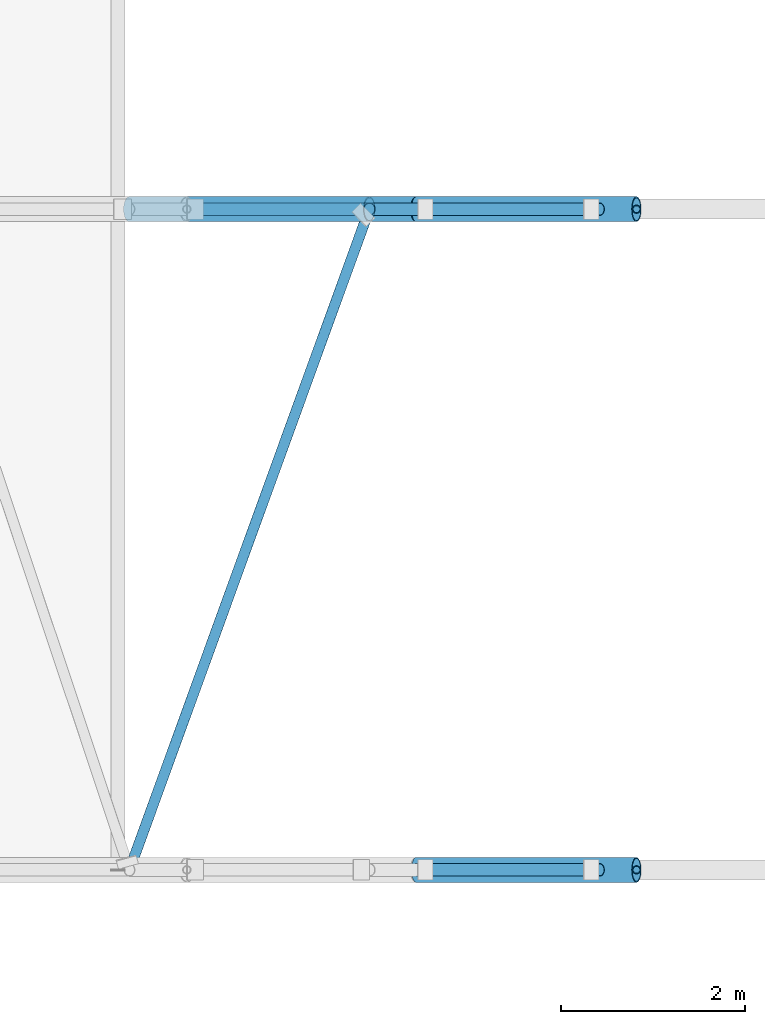
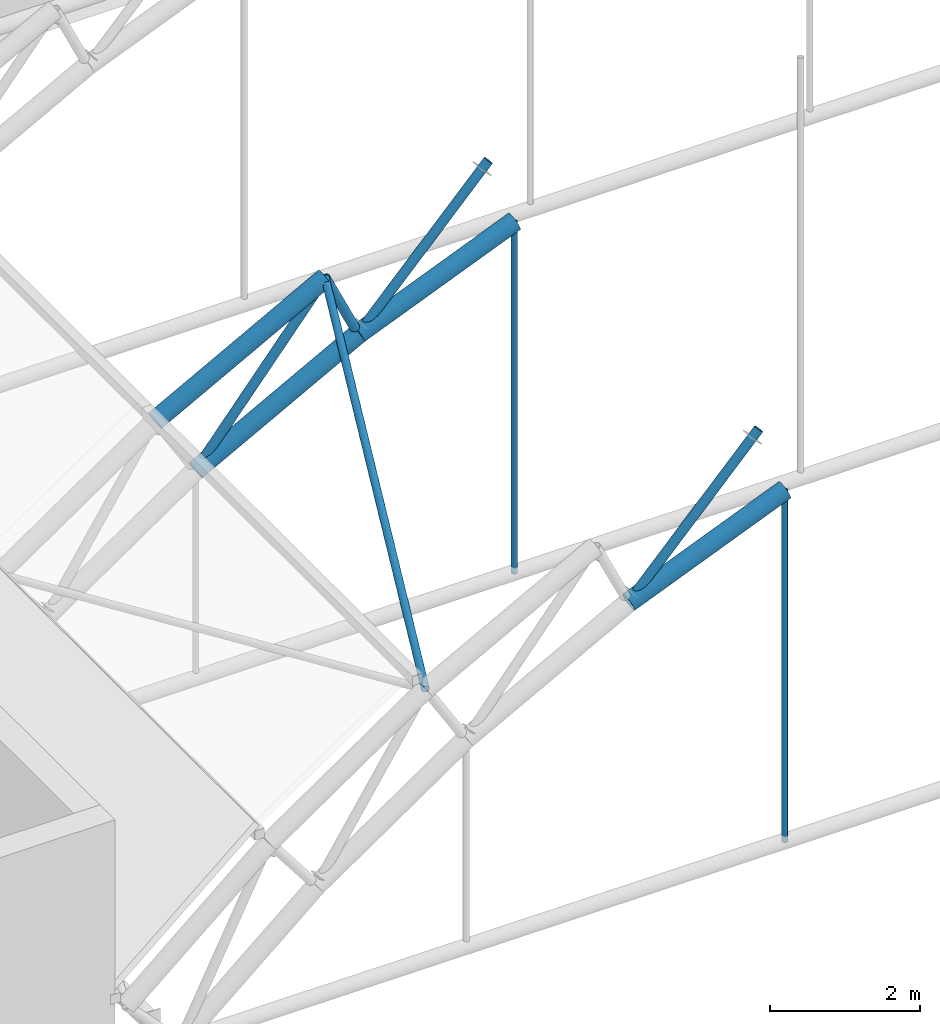
# One storey, part 5 of 101: 11 members.
"""IFC4 building model written with IfcOpenShell, lengths in metres."""

from ifc_helpers import new_model, si_unit, direction, frame, origin, origin_2d, place, context, subcontext, project, spatial, hollow_circle, extrude, material, material_profile, profile_set, type_object, element, save


model = new_model("IFC4")

# Units and contexts
model_context = context("Model", 3, precision=1e-05, world=origin(), true_north=direction((0.0, 1.0)))
body_context = subcontext(model_context, "Body", "Model", "MODEL_VIEW")
ifc_project = project(units=[si_unit("LENGTHUNIT", "METRE"), si_unit("AREAUNIT", "SQUARE_METRE"), si_unit("VOLUMEUNIT", "CUBIC_METRE"), si_unit("PLANEANGLEUNIT", "RADIAN"), si_unit("MASSUNIT", "GRAM", prefix="KILO")], contexts=[model_context])

# Site, building, storey
site_placement = place(None, origin())
site = spatial("IfcSite", under=ifc_project, at=site_placement, CompositionType="ELEMENT")
building_placement = place(site_placement, origin())
building = spatial("IfcBuilding", under=site, at=building_placement, Name="Laocheng Heights Fire and Rescue Headquarters", CompositionType="ELEMENT")
storey_placement = place(building_placement, frame((0.0, 0.0, 8.39990234375)))
storey = spatial("IfcBuildingStorey", under=building, at=storey_placement, Name="L02", CompositionType="ELEMENT", Elevation=8.39990234375)

# Members
ifc_material_1 = material(Name="Steel Q355B", Category="steel")
ifc_material_profile_1 = material_profile(ifc_material_1, hollow_circle(Radius=0.05712890625, WallThickness=0.0048828125, at=origin_2d()), Name="CHS 114.3x5")
ifc_profile_set_1 = profile_set([ifc_material_profile_1], Name="Steel Q355B")
member_type_1 = type_object("IfcMemberType", Name="BAY ROOF BRACE CHS 114.3x5", PredefinedType="BRACE", material=ifc_profile_set_1)
member_1_placement = place(storey_placement, frame((21.77490234375, 0.0, 4.401123046875), z_axis=(0.335760309124, 0.924461513992, 0.180654155679), x_axis=(-0.939926422139, 0.341377094962, 0.0)))
element("IfcMember", 1, at=member_1_placement, inside=storey, type_object=member_type_1, Name="Roof brace A-B panel 03", PredefinedType="BRACE", context=body_context, shape_type="SweptSolid", body=[
    extrude(hollow_circle(Radius=0.05712890625, WallThickness=0.0048828125, at=origin_2d()), origin(), (0.0, 0.0, 1.0), 7.788330078125),
])
ifc_material_2 = material(Name="Steel Q355B", Category="steel")
ifc_material_profile_2 = material_profile(ifc_material_2, hollow_circle(Radius=0.136474609375, WallThickness=0.011962890625, at=origin_2d()), Name="CHS 273x12")
ifc_profile_set_2 = profile_set([ifc_material_profile_2], Name="Steel Q355B")
member_type_2 = type_object("IfcMemberType", Name="BAY ROOF CHORD CHS 273x12", PredefinedType="CHORD", material=ifc_profile_set_2)
member_2_placement = place(storey_placement, frame((24.89990234375, 0.0, 4.72216796875), z_axis=(0.925143196913, 0.0, 0.379618315161), x_axis=(0.0, 1.0, 0.0)))
element("IfcMember", 2, at=member_2_placement, inside=storey, type_object=member_type_2, Name="Truss TR1 lower chord 04", PredefinedType="CHORD", context=body_context, shape_type="SweptSolid", body=[
    extrude(hollow_circle(Radius=0.136474609375, WallThickness=0.011962890625, at=origin_2d()), origin(), (0.0, 0.0, 1.0), 2.59423828125),
])
member_3_placement = place(storey_placement, frame((21.77490234375, 7.199951171875, 4.401123046875), z_axis=(0.880624173368, 0.0, 0.473815433771), x_axis=(0.0, 1.0, 0.0)))
element("IfcMember", 3, at=member_3_placement, inside=storey, type_object=member_type_2, Name="Truss TR2 upper chord 03", PredefinedType="CHORD", context=body_context, shape_type="SweptSolid", body=[
    extrude(hollow_circle(Radius=0.136474609375, WallThickness=0.011962890625, at=origin_2d()), origin(), (0.0, 0.0, 1.0), 2.969482421875),
])
member_4_placement = place(storey_placement, frame((22.39990234375, 7.199951171875, 3.377197265625), z_axis=(0.880645014109, 0.0, 0.473776697532), x_axis=(0.0, 1.0, 0.0)))
element("IfcMember", 4, at=member_4_placement, inside=storey, type_object=member_type_2, Name="Truss TR2 lower chord 03", PredefinedType="CHORD", context=body_context, shape_type="SweptSolid", body=[
    extrude(hollow_circle(Radius=0.136474609375, WallThickness=0.011962890625, at=origin_2d()), origin(), (0.0, 0.0, 1.0), 2.8388671875),
])
member_5_placement = place(storey_placement, frame((24.89990234375, 7.199951171875, 4.72216796875), z_axis=(0.925143196913, 0.0, 0.379618315161), x_axis=(0.0, 1.0, 0.0)))
element("IfcMember", 5, at=member_5_placement, inside=storey, type_object=member_type_2, Name="Truss TR2 lower chord 04", PredefinedType="CHORD", context=body_context, shape_type="SweptSolid", body=[
    extrude(hollow_circle(Radius=0.136474609375, WallThickness=0.011962890625, at=origin_2d()), origin(), (0.0, 0.0, 1.0), 2.59423828125),
])
ifc_material_3 = material(Name="Steel Q355B", Category="steel")
ifc_material_profile_3 = material_profile(ifc_material_3, hollow_circle(Radius=0.06982421875, WallThickness=0.006103515625, at=origin_2d()), Name="CHS 139.7x6")
ifc_profile_set_3 = profile_set([ifc_material_profile_3], Name="Steel Q355B")
member_type_3 = type_object("IfcMemberType", Name="BAY ROOF DIAG CHS 139.7x6", PredefinedType="BRACE", material=ifc_profile_set_3)
member_6_placement = place(storey_placement, frame((24.89990234375, 0.0, 4.72216796875), z_axis=(0.686744141794, 0.0, 0.72689922528), x_axis=(0.0, 1.0, 0.0)))
element("IfcMember", 6, at=member_6_placement, inside=storey, type_object=member_type_3, Name="Truss diagonal TR1-04", PredefinedType="BRACE", context=body_context, shape_type="SweptSolid", body=[
    extrude(hollow_circle(Radius=0.06982421875, WallThickness=0.006103515625, at=origin_2d()), origin(), (0.0, 0.0, 1.0), 2.912353515625),
])
member_7_placement = place(storey_placement, frame((22.39990234375, 7.199951171875, 3.377197265625), z_axis=(0.633440900174, 0.0, 0.773791073861), x_axis=(0.0, 1.0, 0.0)))
element("IfcMember", 7, at=member_7_placement, inside=storey, type_object=member_type_3, Name="Truss diagonal TR2-03", PredefinedType="BRACE", context=body_context, shape_type="SweptSolid", body=[
    extrude(hollow_circle(Radius=0.06982421875, WallThickness=0.006103515625, at=origin_2d()), origin(), (0.0, 0.0, 1.0), 3.1416015625),
])
member_8_placement = place(storey_placement, frame((24.89990234375, 7.199951171875, 4.72216796875), z_axis=(0.686744141794, 0.0, 0.72689922528), x_axis=(0.0, 1.0, 0.0)))
element("IfcMember", 8, at=member_8_placement, inside=storey, type_object=member_type_3, Name="Truss diagonal TR2-04", PredefinedType="BRACE", context=body_context, shape_type="SweptSolid", body=[
    extrude(hollow_circle(Radius=0.06982421875, WallThickness=0.006103515625, at=origin_2d()), origin(), (0.0, 0.0, 1.0), 2.912353515625),
])
ifc_material_4 = material(Name="Steel Q355B", Category="steel")
ifc_material_profile_4 = material_profile(ifc_material_4, hollow_circle(Radius=0.04443359375, WallThickness=0.0048828125, at=origin_2d()), Name="CHS 88.9x5")
ifc_profile_set_4 = profile_set([ifc_material_profile_4], Name="Steel Q355B")
member_type_4 = type_object("IfcMemberType", Name="BAY ROOF HANGER CHS 88.9x5", PredefinedType="POST", material=ifc_profile_set_4)
for number, where, z_axis, x_axis, name in (
    (9, (27.300048828125, 0.0, 0.0), (0.0, 0.0, 1.0), (1.0, 0.0, 0.0), "Truss TR1 hanger 04"),
    (10, (27.300048828125, 7.199951171875, 0.0), (0.0, 0.0, 1.0), (1.0, 0.0, 0.0), "Truss TR2 hanger 04"),
):
    element("IfcMember", number, at=place(storey_placement, frame(where, z_axis=z_axis, x_axis=x_axis)), inside=storey, type_object=member_type_4, Name=name, PredefinedType="POST", context=body_context, shape_type="SweptSolid", body=[
        extrude(hollow_circle(Radius=0.04443359375, WallThickness=0.0048828125, at=origin_2d()), origin(), (0.0, 0.0, 1.0), 5.70703125),
    ])
ifc_material_5 = material(Name="Steel Q355B", Category="steel")
ifc_material_profile_5 = material_profile(ifc_material_5, hollow_circle(Radius=0.06982421875, WallThickness=0.006103515625, at=origin_2d()), Name="CHS 139.7x6")
ifc_profile_set_5 = profile_set([ifc_material_profile_5], Name="Steel Q355B")
member_type_5 = type_object("IfcMemberType", Name="BAY ROOF POST CHS 139.7x6", PredefinedType="POST", material=ifc_profile_set_5)
member_9_placement = place(storey_placement, frame((24.89990234375, 7.199951171875, 4.72216796875), z_axis=(-0.425101107328, 0.0, 0.90514587142), x_axis=(0.0, -1.0, 0.0)))
element("IfcMember", 11, at=member_9_placement, inside=storey, type_object=member_type_5, Name="Truss TR2 radial post 03", PredefinedType="POST", context=body_context, shape_type="SweptSolid", body=[
    extrude(hollow_circle(Radius=0.06982421875, WallThickness=0.006103515625, at=origin_2d()), origin(), (0.0, 0.0, 1.0), 1.19970703125),
])

save(model, "model.ifc")
